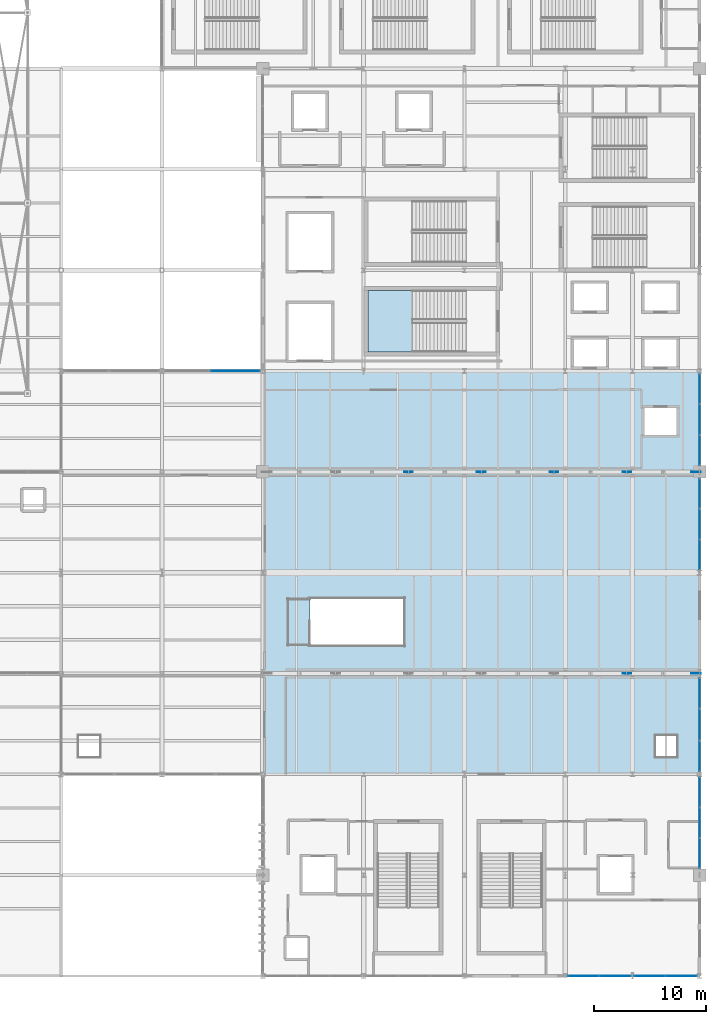
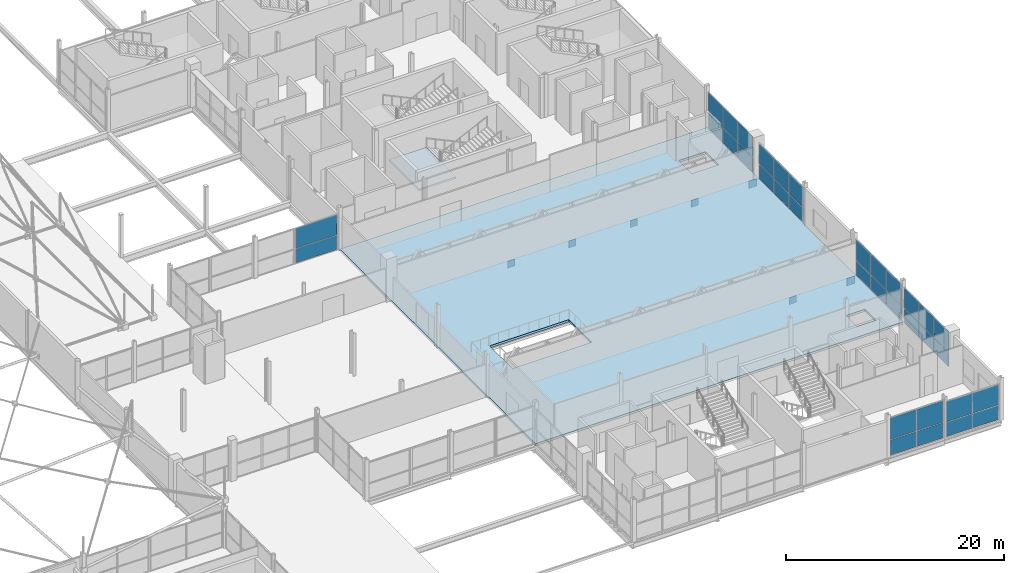
# One storey, part 171 of 224: 41 plates, 2 slabs, 8 elements without a shape of their own.
"""IFC4 building model written with IfcOpenShell, lengths in metres."""

from ifc_helpers import new_model, si_unit, direction, frame, origin, origin_2d, place, context, subcontext, project, spatial, polyline, rectangle, outline, extrude, material, layer, layer_set, type_object, element, aggregate, save


model = new_model("IFC4")

# Units and contexts
model_context = context("Model", 3, precision=1e-05, world=origin(), true_north=direction((0.0, 1.0)))
body_context = subcontext(model_context, "Body", "Model", "MODEL_VIEW")
ifc_project = project(units=[si_unit("LENGTHUNIT", "METRE"), si_unit("AREAUNIT", "SQUARE_METRE"), si_unit("VOLUMEUNIT", "CUBIC_METRE"), si_unit("PLANEANGLEUNIT", "RADIAN"), si_unit("MASSUNIT", "GRAM", prefix="KILO")], contexts=[model_context])

# Site, building, storey
site_placement = place(None, origin())
site = spatial("IfcSite", under=ifc_project, at=site_placement, CompositionType="ELEMENT")
building_placement = place(site_placement, origin())
building = spatial("IfcBuilding", under=site, at=building_placement, Name="Qamarlyn Nura Convention Centre", CompositionType="ELEMENT")
storey_placement = place(building_placement, frame((0.0, 0.0, 10.800048828125)))
storey = spatial("IfcBuildingStorey", under=building, at=storey_placement, Name="L02", CompositionType="ELEMENT", Elevation=10.800048828125)

# Curtain wall, plates
ifc_material_1 = material(Name="Double-silver low-E insulated glass", Category="glass")
ifc_layer_1 = layer(ifc_material_1, 0.179931640625, Name="CW-UNIT-92")
ifc_layer_set_1 = layer_set([ifc_layer_1], Name="Double-silver low-E insulated glass")
curtain_wall_type_1 = type_object("IfcCurtainWallType", Name="CW-UNIT-92", PredefinedType="NOTDEFINED", material=ifc_layer_set_1)
curtain_wall_1_placement = place(storey_placement, origin())
curtain_wall_1 = element("IfcCurtainWall", 1, at=curtain_wall_1_placement, inside=storey, type_object=curtain_wall_type_1, Name="L02 unitised curtain wall EAST-2-1", PredefinedType="NOTDEFINED")
ifc_layer_2 = layer(ifc_material_1, 0.028076171875, Name="CWP-VIS-28")
ifc_layer_set_2 = layer_set([ifc_layer_2], Name="Double-silver low-E insulated glass")
plate_type_1 = type_object("IfcPlateType", Name="CWP-VIS-28", PredefinedType="CURTAIN_PANEL", material=ifc_layer_set_2)
plate_1_placement = place(storey_placement, frame((192.0, 16.409912109375, 0.06005859375), z_axis=(0.0, 0.0, 1.0), x_axis=(0.0, -1.0, 0.0)))
plate_1 = element("IfcPlate", 2, at=plate_1_placement, type_object=plate_type_1, Name="CW92 panel 1.1", PredefinedType="CURTAIN_PANEL", context=body_context, shape_type="SweptSolid", body=[
    extrude(rectangle(XDim=2.659912109375, YDim=0.028076171875, at=origin_2d()), origin(), (0.0, 0.0, 1.0), 1.60888671875),
])
plate_2_placement = place(storey_placement, frame((192.0, 16.409912109375, 1.72900390625), z_axis=(0.0, 0.0, 1.0), x_axis=(0.0, -1.0, 0.0)))
plate_2 = element("IfcPlate", 3, at=plate_2_placement, type_object=plate_type_1, Name="CW92 panel 1.2", PredefinedType="CURTAIN_PANEL", context=body_context, shape_type="SweptSolid", body=[
    extrude(rectangle(XDim=2.659912109375, YDim=0.028076171875, at=origin_2d()), origin(), (0.0, 0.0, 1.0), 2.257080078125),
])
plate_3_placement = place(storey_placement, frame((192.0, 13.675048828125, 0.06005859375), z_axis=(0.0, 0.0, 1.0), x_axis=(0.0, -1.0, 0.0)))
plate_3 = element("IfcPlate", 4, at=plate_3_placement, type_object=plate_type_1, Name="CW92 panel 2.1", PredefinedType="CURTAIN_PANEL", context=body_context, shape_type="SweptSolid", body=[
    extrude(rectangle(XDim=2.68994140625, YDim=0.028076171875, at=origin_2d()), origin(), (0.0, 0.0, 1.0), 1.60888671875),
])
plate_4_placement = place(storey_placement, frame((192.0, 13.675048828125, 1.72900390625), z_axis=(0.0, 0.0, 1.0), x_axis=(0.0, -1.0, 0.0)))
plate_4 = element("IfcPlate", 5, at=plate_4_placement, type_object=plate_type_1, Name="CW92 panel 2.2", PredefinedType="CURTAIN_PANEL", context=body_context, shape_type="SweptSolid", body=[
    extrude(rectangle(XDim=2.68994140625, YDim=0.028076171875, at=origin_2d()), origin(), (0.0, 0.0, 1.0), 2.257080078125),
])
plate_5_placement = place(storey_placement, frame((192.0, 10.93994140625, 0.06005859375), z_axis=(0.0, 0.0, 1.0), x_axis=(0.0, -1.0, 0.0)))
plate_5 = element("IfcPlate", 6, at=plate_5_placement, type_object=plate_type_1, Name="CW92 panel 3.1", PredefinedType="CURTAIN_PANEL", context=body_context, shape_type="SweptSolid", body=[
    extrude(rectangle(XDim=2.659912109375, YDim=0.028076171875, at=origin_2d()), origin(), (0.0, 0.0, 1.0), 1.60888671875),
])
plate_6_placement = place(storey_placement, frame((192.0, 10.93994140625, 1.72900390625), z_axis=(0.0, 0.0, 1.0), x_axis=(0.0, -1.0, 0.0)))
plate_6 = element("IfcPlate", 7, at=plate_6_placement, type_object=plate_type_1, Name="CW92 panel 3.2", PredefinedType="CURTAIN_PANEL", context=body_context, shape_type="SweptSolid", body=[
    extrude(rectangle(XDim=2.659912109375, YDim=0.028076171875, at=origin_2d()), origin(), (0.0, 0.0, 1.0), 2.257080078125),
])
aggregate(curtain_wall_1, [plate_1, plate_2, plate_3, plate_4, plate_5, plate_6])

ifc_layer_3 = layer(ifc_material_1, 0.179931640625, Name="CW-UNIT-93")
ifc_layer_set_3 = layer_set([ifc_layer_3], Name="Double-silver low-E insulated glass")
curtain_wall_type_2 = type_object("IfcCurtainWallType", Name="CW-UNIT-93", PredefinedType="NOTDEFINED", material=ifc_layer_set_3)
curtain_wall_2_placement = place(storey_placement, origin())
curtain_wall_2 = element("IfcCurtainWall", 8, at=curtain_wall_2_placement, inside=storey, type_object=curtain_wall_type_2, Name="L02 unitised curtain wall EAST-3-1", PredefinedType="NOTDEFINED")
plate_7_placement = place(storey_placement, frame((192.0, 25.226318359375, 0.070068359375), z_axis=(0.0, 0.0, 1.0), x_axis=(0.0, -1.0, 0.0)))
plate_7 = element("IfcPlate", 9, at=plate_7_placement, type_object=plate_type_1, Name="CW93 panel 1.1", PredefinedType="CURTAIN_PANEL", context=body_context, shape_type="SweptSolid", body=[
    extrude(rectangle(XDim=2.71240234375, YDim=0.028076171875, at=origin_2d()), origin(), (0.0, 0.0, 1.0), 1.625),
])
plate_8_placement = place(storey_placement, frame((192.0, 25.226318359375, 1.76513671875), z_axis=(0.0, 0.0, 1.0), x_axis=(0.0, -1.0, 0.0)))
plate_8 = element("IfcPlate", 10, at=plate_8_placement, type_object=plate_type_1, Name="CW93 panel 1.2", PredefinedType="CURTAIN_PANEL", context=body_context, shape_type="SweptSolid", body=[
    extrude(rectangle(XDim=2.71240234375, YDim=0.028076171875, at=origin_2d()), origin(), (0.0, 0.0, 1.0), 2.283935546875),
])
plate_9_placement = place(storey_placement, frame((192.0, 22.42626953125, 0.070068359375), z_axis=(0.0, 0.0, 1.0), x_axis=(0.0, -1.0, 0.0)))
plate_9 = element("IfcPlate", 11, at=plate_9_placement, type_object=plate_type_1, Name="CW93 panel 2.1", PredefinedType="CURTAIN_PANEL", context=body_context, shape_type="SweptSolid", body=[
    extrude(rectangle(XDim=2.74755859375, YDim=0.028076171875, at=origin_2d()), origin(), (0.0, 0.0, 1.0), 1.625),
])
plate_10_placement = place(storey_placement, frame((192.0, 22.42626953125, 1.76513671875), z_axis=(0.0, 0.0, 1.0), x_axis=(0.0, -1.0, 0.0)))
plate_10 = element("IfcPlate", 12, at=plate_10_placement, type_object=plate_type_1, Name="CW93 panel 2.2", PredefinedType="CURTAIN_PANEL", context=body_context, shape_type="SweptSolid", body=[
    extrude(rectangle(XDim=2.74755859375, YDim=0.028076171875, at=origin_2d()), origin(), (0.0, 0.0, 1.0), 2.283935546875),
])
plate_11_placement = place(storey_placement, frame((192.0, 19.626220703125, 0.070068359375), z_axis=(0.0, 0.0, 1.0), x_axis=(0.0, -1.0, 0.0)))
plate_11 = element("IfcPlate", 13, at=plate_11_placement, type_object=plate_type_1, Name="CW93 panel 3.1", PredefinedType="CURTAIN_PANEL", context=body_context, shape_type="SweptSolid", body=[
    extrude(rectangle(XDim=2.71240234375, YDim=0.028076171875, at=origin_2d()), origin(), (0.0, 0.0, 1.0), 1.625),
])
plate_12_placement = place(storey_placement, frame((192.0, 19.626220703125, 1.76513671875), z_axis=(0.0, 0.0, 1.0), x_axis=(0.0, -1.0, 0.0)))
plate_12 = element("IfcPlate", 14, at=plate_12_placement, type_object=plate_type_1, Name="CW93 panel 3.2", PredefinedType="CURTAIN_PANEL", context=body_context, shape_type="SweptSolid", body=[
    extrude(rectangle(XDim=2.71240234375, YDim=0.028076171875, at=origin_2d()), origin(), (0.0, 0.0, 1.0), 2.283935546875),
])
aggregate(curtain_wall_2, [plate_7, plate_8, plate_9, plate_10, plate_11, plate_12])

curtain_wall_3_placement = place(storey_placement, origin())
curtain_wall_3 = element("IfcCurtainWall", 15, at=curtain_wall_3_placement, inside=storey, type_object=curtain_wall_type_1, Name="L02 unitised curtain wall EAST-5-1", PredefinedType="NOTDEFINED")
plate_13_placement = place(storey_placement, frame((192.0, 43.060791015625, 0.06494140625), z_axis=(0.0, 0.0, 1.0), x_axis=(0.0, -1.0, 0.0)))
plate_13 = element("IfcPlate", 16, at=plate_13_placement, type_object=plate_type_1, Name="CW92 panel 1.1", PredefinedType="CURTAIN_PANEL", context=body_context, shape_type="SweptSolid", body=[
    extrude(rectangle(XDim=2.6484375, YDim=0.028076171875, at=origin_2d()), origin(), (0.0, 0.0, 1.0), 1.6015625),
])
plate_14_placement = place(storey_placement, frame((192.0, 43.060791015625, 1.7314453125), z_axis=(0.0, 0.0, 1.0), x_axis=(0.0, -1.0, 0.0)))
plate_14 = element("IfcPlate", 17, at=plate_14_placement, type_object=plate_type_1, Name="CW92 panel 1.2", PredefinedType="CURTAIN_PANEL", context=body_context, shape_type="SweptSolid", body=[
    extrude(rectangle(XDim=2.6484375, YDim=0.028076171875, at=origin_2d()), origin(), (0.0, 0.0, 1.0), 2.24951171875),
])
plate_15_placement = place(storey_placement, frame((192.0, 40.331298828125, 0.06494140625), z_axis=(0.0, 0.0, 1.0), x_axis=(0.0, -1.0, 0.0)))
plate_15 = element("IfcPlate", 18, at=plate_15_placement, type_object=plate_type_1, Name="CW92 panel 2.1", PredefinedType="CURTAIN_PANEL", context=body_context, shape_type="SweptSolid", body=[
    extrude(rectangle(XDim=2.680908203125, YDim=0.028076171875, at=origin_2d()), origin(), (0.0, 0.0, 1.0), 1.6015625),
])
plate_16_placement = place(storey_placement, frame((192.0, 40.331298828125, 1.7314453125), z_axis=(0.0, 0.0, 1.0), x_axis=(0.0, -1.0, 0.0)))
plate_16 = element("IfcPlate", 19, at=plate_16_placement, type_object=plate_type_1, Name="CW92 panel 2.2", PredefinedType="CURTAIN_PANEL", context=body_context, shape_type="SweptSolid", body=[
    extrude(rectangle(XDim=2.680908203125, YDim=0.028076171875, at=origin_2d()), origin(), (0.0, 0.0, 1.0), 2.24951171875),
])
plate_17_placement = place(storey_placement, frame((192.0, 37.6015625, 0.06494140625), z_axis=(0.0, 0.0, 1.0), x_axis=(0.0, -1.0, 0.0)))
plate_17 = element("IfcPlate", 20, at=plate_17_placement, type_object=plate_type_1, Name="CW92 panel 3.1", PredefinedType="CURTAIN_PANEL", context=body_context, shape_type="SweptSolid", body=[
    extrude(rectangle(XDim=2.6484375, YDim=0.028076171875, at=origin_2d()), origin(), (0.0, 0.0, 1.0), 1.6015625),
])
plate_18_placement = place(storey_placement, frame((192.0, 37.6015625, 1.7314453125), z_axis=(0.0, 0.0, 1.0), x_axis=(0.0, -1.0, 0.0)))
plate_18 = element("IfcPlate", 21, at=plate_18_placement, type_object=plate_type_1, Name="CW92 panel 3.2", PredefinedType="CURTAIN_PANEL", context=body_context, shape_type="SweptSolid", body=[
    extrude(rectangle(XDim=2.6484375, YDim=0.028076171875, at=origin_2d()), origin(), (0.0, 0.0, 1.0), 2.24951171875),
])
aggregate(curtain_wall_3, [plate_13, plate_14, plate_15, plate_16, plate_17, plate_18])

ifc_layer_4 = layer(ifc_material_1, 0.179931640625, Name="CW-UNIT-98")
ifc_layer_set_4 = layer_set([ifc_layer_4], Name="Double-silver low-E insulated glass")
curtain_wall_type_3 = type_object("IfcCurtainWallType", Name="CW-UNIT-98", PredefinedType="NOTDEFINED", material=ifc_layer_set_4)
curtain_wall_4_placement = place(storey_placement, origin())
curtain_wall_4 = element("IfcCurtainWall", 22, at=curtain_wall_4_placement, inside=storey, type_object=curtain_wall_type_3, Name="L02 unitised curtain wall STH-4-1", PredefinedType="NOTDEFINED")
plate_19_placement = place(storey_placement, frame((184.45068359375, 0.0, 0.06494140625), z_axis=(0.0, 0.0, 1.0), x_axis=(-1.0, 0.0, 0.0)))
plate_19 = element("IfcPlate", 23, at=plate_19_placement, type_object=plate_type_1, Name="CW98 panel 1.1", PredefinedType="CURTAIN_PANEL", context=body_context, shape_type="SweptSolid", body=[
    extrude(rectangle(XDim=2.757568359375, YDim=0.028076171875, at=origin_2d()), origin(), (0.0, 0.0, 1.0), 1.702392578125),
])
plate_20_placement = place(storey_placement, frame((184.45068359375, 0.0, 1.83251953125), z_axis=(0.0, 0.0, 1.0), x_axis=(-1.0, 0.0, 0.0)))
plate_20 = element("IfcPlate", 24, at=plate_20_placement, type_object=plate_type_1, Name="CW98 panel 1.2", PredefinedType="CURTAIN_PANEL", context=body_context, shape_type="SweptSolid", body=[
    extrude(rectangle(XDim=2.757568359375, YDim=0.028076171875, at=origin_2d()), origin(), (0.0, 0.0, 1.0), 2.387451171875),
])
plate_21_placement = place(storey_placement, frame((181.628173828125, 0.0, 0.06494140625), z_axis=(0.0, 0.0, 1.0), x_axis=(-1.0, 0.0, 0.0)))
plate_21 = element("IfcPlate", 25, at=plate_21_placement, type_object=plate_type_1, Name="CW98 panel 2.1", PredefinedType="CURTAIN_PANEL", context=body_context, shape_type="SweptSolid", body=[
    extrude(rectangle(XDim=2.757568359375, YDim=0.028076171875, at=origin_2d()), origin(), (0.0, 0.0, 1.0), 1.702392578125),
])
plate_22_placement = place(storey_placement, frame((181.628173828125, 0.0, 1.83251953125), z_axis=(0.0, 0.0, 1.0), x_axis=(-1.0, 0.0, 0.0)))
plate_22 = element("IfcPlate", 26, at=plate_22_placement, type_object=plate_type_1, Name="CW98 panel 2.2", PredefinedType="CURTAIN_PANEL", context=body_context, shape_type="SweptSolid", body=[
    extrude(rectangle(XDim=2.757568359375, YDim=0.028076171875, at=origin_2d()), origin(), (0.0, 0.0, 1.0), 2.387451171875),
])
aggregate(curtain_wall_4, [plate_19, plate_20, plate_21, plate_22])

ifc_layer_5 = layer(ifc_material_1, 0.179931640625, Name="CW-UNIT-99")
ifc_layer_set_5 = layer_set([ifc_layer_5], Name="Double-silver low-E insulated glass")
curtain_wall_type_4 = type_object("IfcCurtainWallType", Name="CW-UNIT-99", PredefinedType="NOTDEFINED", material=ifc_layer_set_5)
curtain_wall_5_placement = place(storey_placement, origin())
curtain_wall_5 = element("IfcCurtainWall", 27, at=curtain_wall_5_placement, inside=storey, type_object=curtain_wall_type_4, Name="L02 unitised curtain wall STH-5-1", PredefinedType="NOTDEFINED")
plate_23_placement = place(storey_placement, frame((190.35791015625, 0.0, 0.06005859375), z_axis=(0.0, 0.0, 1.0), x_axis=(-1.0, 0.0, 0.0)))
plate_23 = element("IfcPlate", 28, at=plate_23_placement, type_object=plate_type_1, Name="CW99 panel 1.1", PredefinedType="CURTAIN_PANEL", context=body_context, shape_type="SweptSolid", body=[
    extrude(rectangle(XDim=2.7548828125, YDim=0.028076171875, at=origin_2d()), origin(), (0.0, 0.0, 1.0), 1.60888671875),
])
plate_24_placement = place(storey_placement, frame((190.35791015625, 0.0, 1.72900390625), z_axis=(0.0, 0.0, 1.0), x_axis=(-1.0, 0.0, 0.0)))
plate_24 = element("IfcPlate", 29, at=plate_24_placement, type_object=plate_type_1, Name="CW99 panel 1.2", PredefinedType="CURTAIN_PANEL", context=body_context, shape_type="SweptSolid", body=[
    extrude(rectangle(XDim=2.7548828125, YDim=0.028076171875, at=origin_2d()), origin(), (0.0, 0.0, 1.0), 2.257080078125),
])
plate_25_placement = place(storey_placement, frame((187.54296875, 0.0, 0.06005859375), z_axis=(0.0, 0.0, 1.0), x_axis=(-1.0, 0.0, 0.0)))
plate_25 = element("IfcPlate", 30, at=plate_25_placement, type_object=plate_type_1, Name="CW99 panel 2.1", PredefinedType="CURTAIN_PANEL", context=body_context, shape_type="SweptSolid", body=[
    extrude(rectangle(XDim=2.7548828125, YDim=0.028076171875, at=origin_2d()), origin(), (0.0, 0.0, 1.0), 1.60888671875),
])
plate_26_placement = place(storey_placement, frame((187.54296875, 0.0, 1.72900390625), z_axis=(0.0, 0.0, 1.0), x_axis=(-1.0, 0.0, 0.0)))
plate_26 = element("IfcPlate", 31, at=plate_26_placement, type_object=plate_type_1, Name="CW99 panel 2.2", PredefinedType="CURTAIN_PANEL", context=body_context, shape_type="SweptSolid", body=[
    extrude(rectangle(XDim=2.7548828125, YDim=0.028076171875, at=origin_2d()), origin(), (0.0, 0.0, 1.0), 2.257080078125),
])
aggregate(curtain_wall_5, [plate_23, plate_24, plate_25, plate_26])

ifc_layer_6 = layer(ifc_material_1, 0.179931640625, Name="CW-UNIT-110")
ifc_layer_set_6 = layer_set([ifc_layer_6], Name="Double-silver low-E insulated glass")
curtain_wall_type_5 = type_object("IfcCurtainWallType", Name="CW-UNIT-110", PredefinedType="NOTDEFINED", material=ifc_layer_set_6)
curtain_wall_6_placement = place(storey_placement, origin())
curtain_wall_6 = element("IfcCurtainWall", 32, at=curtain_wall_6_placement, inside=storey, type_object=curtain_wall_type_5, Name="L02 unitised curtain wall BLW-NE-2B", PredefinedType="NOTDEFINED")
plate_27_placement = place(storey_placement, frame((150.540771484375, 54.0, 0.06005859375), z_axis=(0.0, 0.0, 1.0), x_axis=(1.0, 0.0, 0.0)))
plate_27 = element("IfcPlate", 33, at=plate_27_placement, type_object=plate_type_1, Name="CW110 panel 1.1", PredefinedType="CURTAIN_PANEL", context=body_context, shape_type="SweptSolid", body=[
    extrude(rectangle(XDim=4.398193359375, YDim=0.028076171875, at=origin_2d()), origin(), (0.0, 0.0, 1.0), 1.5869140625),
])
plate_28_placement = place(storey_placement, frame((150.540771484375, 54.0, 1.70703125), z_axis=(0.0, 0.0, 1.0), x_axis=(1.0, 0.0, 0.0)))
plate_28 = element("IfcPlate", 34, at=plate_28_placement, type_object=plate_type_1, Name="CW110 panel 1.2", PredefinedType="CURTAIN_PANEL", context=body_context, shape_type="SweptSolid", body=[
    extrude(rectangle(XDim=4.398193359375, YDim=0.028076171875, at=origin_2d()), origin(), (0.0, 0.0, 1.0), 2.22705078125),
])
aggregate(curtain_wall_6, [plate_27, plate_28])

ifc_layer_7 = layer(ifc_material_1, 0.179931640625, Name="CW-UNIT-94")
ifc_layer_set_7 = layer_set([ifc_layer_7], Name="Double-silver low-E insulated glass")
curtain_wall_type_6 = type_object("IfcCurtainWallType", Name="CW-UNIT-94", PredefinedType="NOTDEFINED", material=ifc_layer_set_7)
curtain_wall_7_placement = place(storey_placement, origin())
curtain_wall_7 = element("IfcCurtainWall", 35, at=curtain_wall_7_placement, inside=storey, type_object=curtain_wall_type_6, Name="L02 unitised curtain wall EAST-6-1", PredefinedType="NOTDEFINED")
ifc_layer_8 = layer(ifc_material_1, 0.031982421875, Name="CWP-VIS-32")
ifc_layer_set_8 = layer_set([ifc_layer_8], Name="Double-silver low-E insulated glass")
plate_type_2 = type_object("IfcPlateType", Name="CWP-VIS-32", PredefinedType="CURTAIN_PANEL", material=ifc_layer_set_8)
plate_29_placement = place(storey_placement, frame((192.0, 52.409912109375, 0.06005859375), z_axis=(0.0, 0.0, 1.0), x_axis=(0.0, -1.0, 0.0)))
plate_29 = element("IfcPlate", 36, at=plate_29_placement, type_object=plate_type_2, Name="CW94 panel 1.1", PredefinedType="CURTAIN_PANEL", context=body_context, shape_type="SweptSolid", body=[
    extrude(rectangle(XDim=2.659912109375, YDim=0.031982421875, at=origin_2d()), origin(), (0.0, 0.0, 1.0), 1.639892578125),
])
plate_30_placement = place(storey_placement, frame((192.0, 52.409912109375, 1.759765625), z_axis=(0.0, 0.0, 1.0), x_axis=(0.0, -1.0, 0.0)))
plate_30 = element("IfcPlate", 37, at=plate_30_placement, type_object=plate_type_2, Name="CW94 panel 1.2", PredefinedType="CURTAIN_PANEL", context=body_context, shape_type="SweptSolid", body=[
    extrude(rectangle(XDim=2.659912109375, YDim=0.031982421875, at=origin_2d()), origin(), (0.0, 0.0, 1.0), 2.299072265625),
])
plate_31_placement = place(storey_placement, frame((192.0, 49.675048828125, 0.06005859375), z_axis=(0.0, 0.0, 1.0), x_axis=(0.0, -1.0, 0.0)))
plate_31 = element("IfcPlate", 38, at=plate_31_placement, type_object=plate_type_2, Name="CW94 panel 2.1", PredefinedType="CURTAIN_PANEL", context=body_context, shape_type="SweptSolid", body=[
    extrude(rectangle(XDim=2.68994140625, YDim=0.031982421875, at=origin_2d()), origin(), (0.0, 0.0, 1.0), 1.639892578125),
])
plate_32_placement = place(storey_placement, frame((192.0, 49.675048828125, 1.759765625), z_axis=(0.0, 0.0, 1.0), x_axis=(0.0, -1.0, 0.0)))
plate_32 = element("IfcPlate", 39, at=plate_32_placement, type_object=plate_type_2, Name="CW94 panel 2.2", PredefinedType="CURTAIN_PANEL", context=body_context, shape_type="SweptSolid", body=[
    extrude(rectangle(XDim=2.68994140625, YDim=0.031982421875, at=origin_2d()), origin(), (0.0, 0.0, 1.0), 2.299072265625),
])
plate_33_placement = place(storey_placement, frame((192.0, 46.93994140625, 0.06005859375), z_axis=(0.0, 0.0, 1.0), x_axis=(0.0, -1.0, 0.0)))
plate_33 = element("IfcPlate", 40, at=plate_33_placement, type_object=plate_type_2, Name="CW94 panel 3.1", PredefinedType="CURTAIN_PANEL", context=body_context, shape_type="SweptSolid", body=[
    extrude(rectangle(XDim=2.659912109375, YDim=0.031982421875, at=origin_2d()), origin(), (0.0, 0.0, 1.0), 1.639892578125),
])
plate_34_placement = place(storey_placement, frame((192.0, 46.93994140625, 1.759765625), z_axis=(0.0, 0.0, 1.0), x_axis=(0.0, -1.0, 0.0)))
plate_34 = element("IfcPlate", 41, at=plate_34_placement, type_object=plate_type_2, Name="CW94 panel 3.2", PredefinedType="CURTAIN_PANEL", context=body_context, shape_type="SweptSolid", body=[
    extrude(rectangle(XDim=2.659912109375, YDim=0.031982421875, at=origin_2d()), origin(), (0.0, 0.0, 1.0), 2.299072265625),
])
aggregate(curtain_wall_7, [plate_29, plate_30, plate_31, plate_32, plate_33, plate_34])

# Plates
ifc_material_2 = material(Name="Structural steel ASTM A572 Grade 50", Category="steel")
ifc_layer_9 = layer(ifc_material_2, 0.050048828125, Name="GP-TN2")
ifc_layer_set_9 = layer_set([ifc_layer_9], Name="Structural steel ASTM A572 Grade 50")
plate_type_3 = type_object("IfcPlateType", Name="GP-TN2", PredefinedType="USERDEFINED", material=ifc_layer_set_9)
plate_35_placement = place(storey_placement, frame((185.5, 27.0, -1.10595703125), z_axis=(0.0, 0.0, 1.0), x_axis=(1.0, 0.0, 0.0)))
element("IfcPlate", 42, at=plate_35_placement, inside=storey, type_object=plate_type_3, Name="Transfer truss bottom node gusset plate D-V5B", ObjectType="GUSSET PLATE", PredefinedType="USERDEFINED", context=body_context, shape_type="SweptSolid", body=[
    extrude(rectangle(XDim=0.780029296875, YDim=0.050048828125, at=origin_2d()), origin(), (0.0, 0.0, 1.0), 0.780029296875),
])
plate_36_placement = place(storey_placement, frame((191.64990234375, 27.0, -1.14111328125), z_axis=(0.0, 0.0, 1.0), x_axis=(1.0, 0.0, 0.0)))
element("IfcPlate", 43, at=plate_36_placement, inside=storey, type_object=plate_type_3, Name="Transfer structure node gusset plate D-EB", ObjectType="GUSSET PLATE", PredefinedType="USERDEFINED", context=body_context, shape_type="SweptSolid", body=[
    extrude(rectangle(XDim=0.85009765625, YDim=0.050048828125, at=origin_2d()), origin(), (0.0, 0.0, 1.0), 0.85009765625),
])
for number, where, z_axis, x_axis, name in (
    (44, (166.0, 45.0, -1.10595703125), (0.0, 0.0, 1.0), (1.0, 0.0, 0.0), "Transfer truss bottom node gusset plate F-V2B"),
    (45, (172.5, 45.0, -1.10595703125), (0.0, 0.0, 1.0), (1.0, 0.0, 0.0), "Transfer truss bottom node gusset plate F-V3B"),
    (46, (179.0, 45.0, -1.10595703125), (0.0, 0.0, 1.0), (1.0, 0.0, 0.0), "Transfer truss bottom node gusset plate F-V4B"),
    (47, (185.5, 45.0, -1.10595703125), (0.0, 0.0, 1.0), (1.0, 0.0, 0.0), "Transfer truss bottom node gusset plate F-V5B"),
):
    element("IfcPlate", number, at=place(storey_placement, frame(where, z_axis=z_axis, x_axis=x_axis)), inside=storey, type_object=plate_type_3, Name=name, ObjectType="GUSSET PLATE", PredefinedType="USERDEFINED", context=body_context, shape_type="SweptSolid", body=[
        extrude(rectangle(XDim=0.780029296875, YDim=0.050048828125, at=origin_2d()), origin(), (0.0, 0.0, 1.0), 0.780029296875),
    ])
plate_37_placement = place(storey_placement, frame((191.64990234375, 45.0, -1.14111328125), z_axis=(0.0, 0.0, 1.0), x_axis=(1.0, 0.0, 0.0)))
element("IfcPlate", 48, at=plate_37_placement, inside=storey, type_object=plate_type_3, Name="Transfer structure node gusset plate F-EB", ObjectType="GUSSET PLATE", PredefinedType="USERDEFINED", context=body_context, shape_type="SweptSolid", body=[
    extrude(rectangle(XDim=0.85009765625, YDim=0.050048828125, at=origin_2d()), origin(), (0.0, 0.0, 1.0), 0.85009765625),
])

# Slab
ifc_material_3 = material(Name="Concrete C40/50", Category="concrete")
ifc_layer_10 = layer(ifc_material_3, 0.260009765625, Name="SL-L02-BL")
ifc_layer_set_10 = layer_set([ifc_layer_10], Name="Concrete C40/50")
slab_type_1 = type_object("IfcSlabType", Name="SL-L02-BL", PredefinedType="FLOOR", material=ifc_layer_set_10)
slab_1_placement = place(storey_placement, frame((0.0, 0.0, -0.260009765625)))
element("IfcSlab", 49, at=slab_1_placement, inside=storey, type_object=slab_type_1, Name="L02 floor slab L02-BLE", PredefinedType="FLOOR", context=body_context, shape_type="SweptSolid", body=[
    extrude(outline(polyline([(153.0, 54.0), (192.0, 54.0), (192.0, 18.0), (153.0, 18.0), (153.0, 54.0)]), holes=[polyline([(188.0, 21.5), (188.0, 19.5), (190.0, 19.5), (190.0, 21.5), (188.0, 21.5)]), polyline([(157.199951171875, 29.5), (165.60009765625, 29.5), (165.60009765625, 33.679931640625), (157.199951171875, 33.679931640625), (157.199951171875, 29.5)]), polyline([(189.925048828125, 48.300048828125), (189.925048828125, 50.699951171875), (187.074951171875, 50.699951171875), (187.074951171875, 48.300048828125), (189.925048828125, 48.300048828125)])]), origin(), (0.0, 0.0, 1.0), 0.260009765625),
])

# Stair, slab
stair_type = type_object("IfcStairType", Name="STAIR-EXIT-48", PredefinedType="HALF_TURN_STAIR", material=ifc_material_3)
stair_placement = place(storey_placement, origin())
stair = element("IfcStair", 50, at=stair_placement, inside=storey, type_object=stair_type, Name="L02 Enclosed exit stair ST-11", PredefinedType="HALF_TURN_STAIR")
ifc_layer_11 = layer(ifc_material_3, 0.199951171875, Name="SL-LAND-200")
ifc_layer_set_11 = layer_set([ifc_layer_11], Name="Concrete C40/50")
slab_type_2 = type_object("IfcSlabType", Name="SL-LAND-200", PredefinedType="LANDING", material=ifc_layer_set_11)
slab_2_placement = place(storey_placement, frame((0.0, 0.0, 2.199951171875)))
slab_2 = element("IfcSlab", 51, at=slab_2_placement, type_object=slab_type_2, Name="ST-11 landing 1", PredefinedType="LANDING", context=body_context, shape_type="SweptSolid", body=[
    extrude(outline(polyline([(166.340087890625, 61.199951171875), (162.39990234375, 61.199951171875), (162.39990234375, 55.699951171875), (166.340087890625, 55.699951171875), (166.340087890625, 61.199951171875)])), origin(), (0.0, 0.0, 1.0), 0.199951171875),
])
aggregate(stair, [slab_2])

save(model, "model.ifc")
